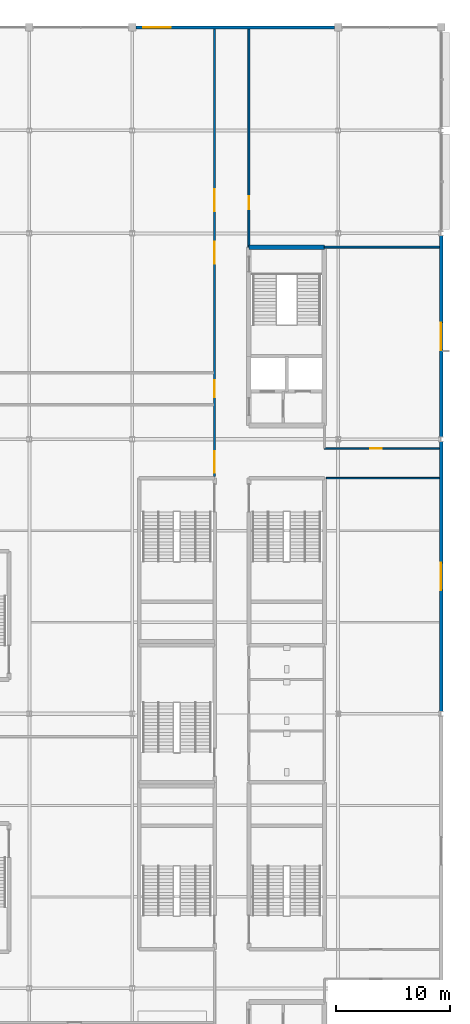
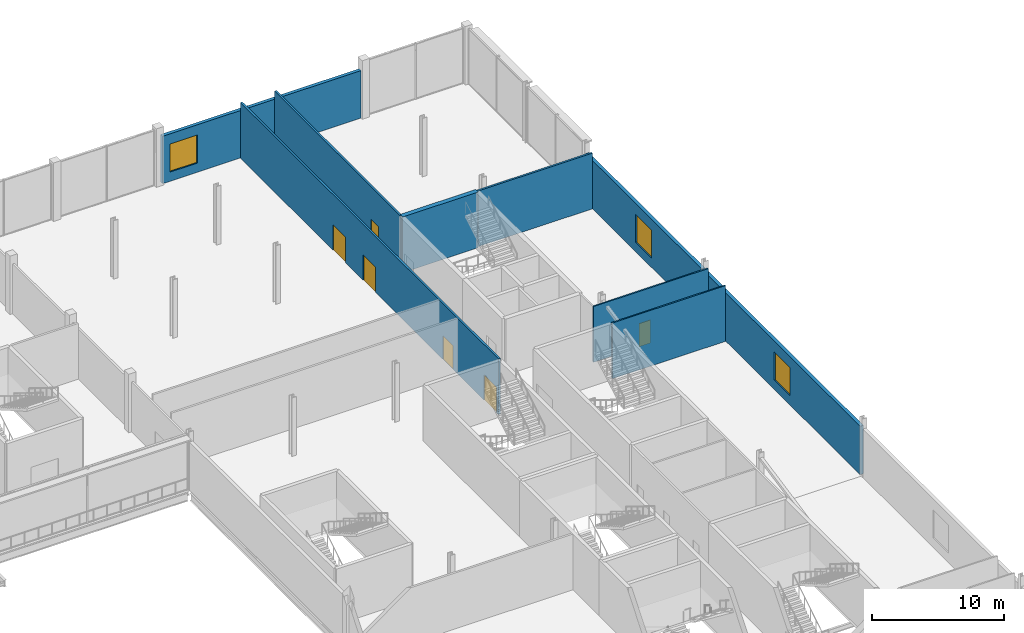
# One storey, part 72 of 113: 9 walls, 6 doors, 3 windows, 9 openings.
"""IFC4 building model written with IfcOpenShell, lengths in metres."""

from ifc_helpers import new_model, si_unit, direction, frame, frame_2d, origin, place, context, subcontext, project, spatial, rectangle, extrude, material, layer, layer_set, type_object, element, fill, save


model = new_model("IFC4")

# Units and contexts
model_context = context("Model", 3, precision=1e-05, world=origin(), true_north=direction((0.0, 1.0)))
body_context = subcontext(model_context, "Body", "Model", "MODEL_VIEW")
ifc_project = project(units=[si_unit("LENGTHUNIT", "METRE"), si_unit("AREAUNIT", "SQUARE_METRE"), si_unit("VOLUMEUNIT", "CUBIC_METRE"), si_unit("PLANEANGLEUNIT", "RADIAN"), si_unit("MASSUNIT", "GRAM", prefix="KILO")], contexts=[model_context])

# Site, building, storey
site_placement = place(None, origin())
site = spatial("IfcSite", under=ifc_project, at=site_placement, CompositionType="ELEMENT")
building_placement = place(site_placement, origin())
building = spatial("IfcBuilding", under=site, at=building_placement, Name="Kisiwana Market Hall", CompositionType="ELEMENT")
storey_placement = place(building_placement, frame((0.0, 0.0, 6.0)))
storey = spatial("IfcBuildingStorey", under=building, at=storey_placement, Name="L01", CompositionType="ELEMENT", Elevation=6.0)

# Walls
ifc_material_1 = material(Name="Concrete C40/50", Category="concrete")
ifc_layer_1 = layer(ifc_material_1, 0.39990234375, Name="Reinforced concrete core wall")
ifc_layer_set_1 = layer_set([ifc_layer_1], Name="WL-CORE-400")
wall_type_1 = type_object("IfcWallType", Name="WL-CORE-400", PredefinedType="SHEAR", material=ifc_layer_set_1)
wall_1_placement = place(storey_placement, frame((181.199951171875, 100.800048828125, 0.0), z_axis=(0.0, 0.0, 1.0), x_axis=(1.0, 0.0, 0.0)))
element("IfcWall", 1, at=wall_1_placement, inside=storey, type_object=wall_type_1, Name="Core E1 north shear wall W-0700", PredefinedType="SHEAR", context=body_context, shape_type="SweptSolid", body=[
    extrude(rectangle(XDim=6.60009765625, YDim=0.39990234375, at=frame_2d((3.300048828125, 0.0))), origin(), (0.0, 0.0, 1.0), 5.14990234375),
])
ifc_material_2 = material(Name="Masonry blockwork", Category="masonry")
ifc_layer_2 = layer(ifc_material_2, 0.169921875, Name="Protected corridor partition")
ifc_layer_set_2 = layer_set([ifc_layer_2], Name="WL-CORR-170")
wall_type_2 = type_object("IfcWallType", Name="WL-CORR-170", PredefinedType="PARTITIONING", material=ifc_layer_set_2)
wall_2_placement = place(storey_placement, frame((187.800048828125, 100.800048828125, 0.0), z_axis=(0.0, 0.0, 1.0), x_axis=(1.0, 0.0, 0.0)))
element("IfcWall", 2, at=wall_2_placement, inside=storey, type_object=wall_type_2, Name="Interior partition W-0880", PredefinedType="PARTITIONING", context=body_context, shape_type="SweptSolid", body=[
    extrude(rectangle(XDim=10.04248046875, YDim=0.169921875, at=frame_2d((5.021240234375, 0.0))), origin(), (0.0, 0.0, 1.0), 5.14990234375),
])

# Wall, opening, door
wall_3_placement = place(storey_placement, frame((181.199951171875, 100.800048828125, 0.0), z_axis=(0.0, 0.0, 1.0), x_axis=(0.0, 1.0, 0.0)))
wall_3 = element("IfcWall", 3, at=wall_3_placement, inside=storey, type_object=wall_type_2, Name="Interior partition W-0886", PredefinedType="PARTITIONING", context=body_context, shape_type="SweptSolid", body=[
    extrude(rectangle(XDim=19.04248046875, YDim=0.169921875, at=frame_2d((9.521240234375, 0.0))), origin(), (0.0, 0.0, 1.0), 5.14990234375),
])
opening_1_placement = place(wall_3_placement, frame((3.300048828125, 0.0, 0.0)))
opening_1 = element("IfcOpeningElement", 4, at=opening_1_placement, cuts=wall_3, Name="Opening DR-L01-066", PredefinedType="OPENING", context=body_context, shape_type="SweptSolid", body=[
    extrude(rectangle(XDim=1.14990234375, YDim=2.14990234375, at=frame_2d((0.574951171875, 1.074951171875))), frame((0.0, 0.096923828125, 0.0), z_axis=(0.0, -1.0, 0.0), x_axis=(1.0, 0.0, 0.0)), (0.0, 0.0, 1.0), 0.19384765625),
])
ifc_material_3 = material(Name="Aluminium alloy 6063-T6", Category="aluminium")
door_type_1 = type_object("IfcDoorType", Name="DR-MEET-1150", OperationType="NOTDEFINED", PredefinedType="DOOR", material=ifc_material_3)
door_1_placement = place(opening_1_placement, frame((1.14990234375, 0.0, 0.0), z_axis=(0.0, 0.0, 1.0), x_axis=(-1.0, 0.0, 0.0)))
door_1 = element("IfcDoor", 5, at=door_1_placement, inside=storey, type_object=door_type_1, Name="L01 E Corner Office Suite North Door", OperationType="SINGLE_SWING_RIGHT", OverallHeight=2.14990234375, OverallWidth=1.14990234375, PredefinedType="DOOR", context=body_context, shape_type="SweptSolid", body=[
    extrude(rectangle(XDim=1.14990234375, YDim=2.14990234375, at=frame_2d((0.574951171875, 1.074951171875))), frame((0.0, 0.02490234375, 0.0), z_axis=(0.0, -1.0, 0.0), x_axis=(1.0, 0.0, 0.0)), (0.0, 0.0, 1.0), 0.050048828125),
])
fill(opening_1, door_1)

# Wall, openings, doors
wall_4_placement = place(storey_placement, frame((178.199951171875, 80.760009765625, 0.0), z_axis=(0.0, 0.0, 1.0), x_axis=(0.0, 1.0, 0.0)))
wall_4 = element("IfcWall", 6, at=wall_4_placement, inside=storey, type_object=wall_type_2, Name="Interior partition W-0893", PredefinedType="PARTITIONING", context=body_context, shape_type="SweptSolid", body=[
    extrude(rectangle(XDim=39.08251953125, YDim=0.169921875, at=frame_2d((19.541259765625, 0.0))), origin(), (0.0, 0.0, 1.0), 5.14990234375),
])
opening_2_placement = place(wall_4_placement, frame((6.89111328125, 0.0, 0.0)))
opening_2 = element("IfcOpeningElement", 7, at=opening_2_placement, cuts=wall_4, Name="Opening DR-L01-071", PredefinedType="OPENING", context=body_context, shape_type="SweptSolid", body=[
    extrude(rectangle(XDim=1.5, YDim=2.199951171875, at=frame_2d((0.75, 1.10009765625))), frame((0.0, 0.096923828125, 0.0), z_axis=(0.0, -1.0, 0.0), x_axis=(1.0, 0.0, 0.0)), (0.0, 0.0, 1.0), 0.19384765625),
])
opening_3_placement = place(wall_4_placement, frame((23.19091796875, 0.0, 0.0)))
opening_3 = element("IfcOpeningElement", 8, at=opening_3_placement, cuts=wall_4, Name="Opening DR-L01-072", PredefinedType="OPENING", context=body_context, shape_type="SweptSolid", body=[
    extrude(rectangle(XDim=1.89990234375, YDim=2.35009765625, at=frame_2d((0.949951171875, 1.175048828125))), frame((0.0, 0.096923828125, 0.0), z_axis=(0.0, -1.0, 0.0), x_axis=(1.0, 0.0, 0.0)), (0.0, 0.0, 1.0), 0.19384765625),
])
opening_4_placement = place(wall_4_placement, frame((18.591064453125, 0.0, 0.0)))
opening_4 = element("IfcOpeningElement", 9, at=opening_4_placement, cuts=wall_4, Name="Opening DR-L01-073", PredefinedType="OPENING", context=body_context, shape_type="SweptSolid", body=[
    extrude(rectangle(XDim=1.89990234375, YDim=2.35009765625, at=frame_2d((0.949951171875, 1.175048828125))), frame((0.0, 0.096923828125, 0.0), z_axis=(0.0, -1.0, 0.0), x_axis=(1.0, 0.0, 0.0)), (0.0, 0.0, 1.0), 0.19384765625),
])
opening_5_placement = place(wall_4_placement, frame((0.300048828125, 0.0, 0.0)))
opening_5 = element("IfcOpeningElement", 10, at=opening_5_placement, cuts=wall_4, Name="Opening DR-L01-074", PredefinedType="OPENING", context=body_context, shape_type="SweptSolid", body=[
    extrude(rectangle(XDim=1.89990234375, YDim=2.35009765625, at=frame_2d((0.949951171875, 1.175048828125))), frame((0.0, 0.096923828125, 0.0), z_axis=(0.0, -1.0, 0.0), x_axis=(1.0, 0.0, 0.0)), (0.0, 0.0, 1.0), 0.19384765625),
])
ifc_material_4 = material(Name="Steel S275", Category="steel")
door_type_2 = type_object("IfcDoorType", Name="DR-CORR-FD60-1500", OperationType="DOUBLE_DOOR_SINGLE_SWING", PredefinedType="DOOR", material=ifc_material_4)
door_2_placement = place(opening_2_placement, origin())
door_2 = element("IfcDoor", 11, at=door_2_placement, inside=storey, type_object=door_type_2, Name="L01 E North Mezzanine Link Corridor Door", OperationType="DOUBLE_DOOR_SINGLE_SWING", OverallHeight=2.199951171875, OverallWidth=1.5, PredefinedType="DOOR", context=body_context, shape_type="SweptSolid", body=[
    extrude(rectangle(XDim=1.5, YDim=2.199951171875, at=frame_2d((0.75, 1.10009765625))), frame((0.0, 0.02490234375, 0.0), z_axis=(0.0, -1.0, 0.0), x_axis=(1.0, 0.0, 0.0)), (0.0, 0.0, 1.0), 0.050048828125),
])
fill(opening_2, door_2)
ifc_material_5 = material(Name="Steel S275", Category="steel")
door_type_3 = type_object("IfcDoorType", Name="DR-HALL-1900", OperationType="DOUBLE_DOOR_SINGLE_SWING", PredefinedType="DOOR", material=ifc_material_5)
door_3_placement = place(opening_3_placement, origin())
door_3 = element("IfcDoor", 12, at=door_3_placement, inside=storey, type_object=door_type_3, Name="L01 E Food Court North Dining Hall Door", OperationType="DOUBLE_DOOR_SINGLE_SWING", OverallHeight=2.35009765625, OverallWidth=1.89990234375, PredefinedType="DOOR", context=body_context, shape_type="SweptSolid", body=[
    extrude(rectangle(XDim=1.89990234375, YDim=2.35009765625, at=frame_2d((0.949951171875, 1.175048828125))), frame((0.0, 0.02490234375, 0.0), z_axis=(0.0, -1.0, 0.0), x_axis=(1.0, 0.0, 0.0)), (0.0, 0.0, 1.0), 0.050048828125),
])
fill(opening_3, door_3)
door_4_placement = place(opening_4_placement, origin())
door_4 = element("IfcDoor", 13, at=door_4_placement, inside=storey, type_object=door_type_3, Name="L01 E Hawker Culinary Gallery Door", OperationType="DOUBLE_DOOR_SINGLE_SWING", OverallHeight=2.35009765625, OverallWidth=1.89990234375, PredefinedType="DOOR", context=body_context, shape_type="SweptSolid", body=[
    extrude(rectangle(XDim=1.89990234375, YDim=2.35009765625, at=frame_2d((0.949951171875, 1.175048828125))), frame((0.0, 0.02490234375, 0.0), z_axis=(0.0, -1.0, 0.0), x_axis=(1.0, 0.0, 0.0)), (0.0, 0.0, 1.0), 0.050048828125),
])
fill(opening_4, door_4)
door_5_placement = place(opening_5_placement, origin())
door_5 = element("IfcDoor", 14, at=door_5_placement, inside=storey, type_object=door_type_3, Name="L01 E Central Dishwashing and Servery Door", OperationType="DOUBLE_DOOR_SINGLE_SWING", OverallHeight=2.35009765625, OverallWidth=1.89990234375, PredefinedType="DOOR", context=body_context, shape_type="SweptSolid", body=[
    extrude(rectangle(XDim=1.89990234375, YDim=2.35009765625, at=frame_2d((0.949951171875, 1.175048828125))), frame((0.0, 0.02490234375, 0.0), z_axis=(0.0, -1.0, 0.0), x_axis=(1.0, 0.0, 0.0)), (0.0, 0.0, 1.0), 0.050048828125),
])
fill(opening_5, door_5)

# Wall, opening, window
ifc_material_6 = material(Name="Masonry blockwork", Category="masonry")
ifc_layer_3 = layer(ifc_material_6, 0.139892578125, Name="Rendered masonry outer leaf")
ifc_material_7 = material(Name="Mineral wool insulation")
ifc_layer_4 = layer(ifc_material_7, 0.074951171875, Name="Mineral wool cavity insulation")
ifc_material_8 = material(Name="Gypsum plasterboard")
ifc_layer_5 = layer(ifc_material_8, 0.074951171875, Name="Calcium silicate inner lining")
ifc_layer_set_3 = layer_set([ifc_layer_3, ifc_layer_4, ifc_layer_5], Name="WL-EXT-MAS-290")
wall_type_3 = type_object("IfcWallType", Name="WL-EXT-MAS-290", PredefinedType="STANDARD", material=ifc_layer_set_3)
wall_5_placement = place(storey_placement, frame((171.31689453125, 120.0, 0.0), z_axis=(0.0, 0.0, 1.0), x_axis=(1.0, 0.0, 0.0)))
wall_5 = element("IfcWall", 15, at=wall_5_placement, inside=storey, type_object=wall_type_3, Name="Exterior wall W-0829", PredefinedType="STANDARD", context=body_context, shape_type="SweptSolid", body=[
    extrude(rectangle(XDim=17.3662109375, YDim=0.2900390625, at=frame_2d((8.68310546875, 0.0))), origin(), (0.0, 0.0, 1.0), 4.3876953125),
])
opening_6_placement = place(wall_5_placement, frame((0.64990234375, 0.0, 0.85009765625)))
opening_6 = element("IfcOpeningElement", 16, at=opening_6_placement, cuts=wall_5, Name="Opening WN-11", PredefinedType="OPENING", context=body_context, shape_type="SweptSolid", body=[
    extrude(rectangle(XDim=2.39990234375, YDim=2.60009765625, at=frame_2d((1.199951171875, 1.300048828125))), frame((0.0, 0.156982421875, 0.0), z_axis=(0.0, -1.0, 0.0), x_axis=(1.0, 0.0, 0.0)), (0.0, 0.0, 1.0), 0.31396484375),
])
ifc_material_9 = material(Name="Double-glazed solar-control low-E IGU", Category="glass")
window_type = type_object("IfcWindowType", Name="WN-POD-2400x2600", PartitioningType="SINGLE_PANEL", PredefinedType="WINDOW", material=ifc_material_9)
window_1_placement = place(opening_6_placement, origin())
window_1 = element("IfcWindow", 17, at=window_1_placement, inside=storey, type_object=window_type, Name="Exterior window WN-016", OverallHeight=2.60009765625, OverallWidth=2.39990234375, PartitioningType="SINGLE_PANEL", PredefinedType="WINDOW", context=body_context, shape_type="SweptSolid", body=[
    extrude(rectangle(XDim=2.39990234375, YDim=2.60009765625, at=frame_2d((1.199951171875, 1.300048828125))), frame((0.0, 0.030029296875, 0.0), z_axis=(0.0, -1.0, 0.0), x_axis=(1.0, 0.0, 0.0)), (0.0, 0.0, 1.0), 0.06005859375),
])
fill(opening_6, window_1)

wall_6_placement = place(storey_placement, frame((198.0, 60.198486328125, 0.0), z_axis=(0.0, 0.0, 1.0), x_axis=(0.0, 1.0, 0.0)))
wall_6 = element("IfcWall", 18, at=wall_6_placement, inside=storey, type_object=wall_type_3, Name="Exterior wall W-0840", PredefinedType="STANDARD", context=body_context, shape_type="SweptSolid", body=[
    extrude(rectangle(XDim=23.60302734375, YDim=0.2900390625, at=frame_2d((11.801513671875, 0.0))), origin(), (0.0, 0.0, 1.0), 4.466552734375),
])
opening_7_placement = place(wall_6_placement, frame((10.6015625, 0.0, 0.85009765625)))
opening_7 = element("IfcOpeningElement", 19, at=opening_7_placement, cuts=wall_6, Name="Opening WN-11", PredefinedType="OPENING", context=body_context, shape_type="SweptSolid", body=[
    extrude(rectangle(XDim=2.39990234375, YDim=2.60009765625, at=frame_2d((1.199951171875, 1.300048828125))), frame((0.0, 0.156982421875, 0.0), z_axis=(0.0, -1.0, 0.0), x_axis=(1.0, 0.0, 0.0)), (0.0, 0.0, 1.0), 0.31396484375),
])
window_2_placement = place(opening_7_placement, origin())
window_2 = element("IfcWindow", 20, at=window_2_placement, inside=storey, type_object=window_type, Name="Exterior window WN-023", OverallHeight=2.60009765625, OverallWidth=2.39990234375, PartitioningType="SINGLE_PANEL", PredefinedType="WINDOW", context=body_context, shape_type="SweptSolid", body=[
    extrude(rectangle(XDim=2.39990234375, YDim=2.60009765625, at=frame_2d((1.199951171875, 1.300048828125))), frame((0.0, 0.030029296875, 0.0), z_axis=(0.0, -1.0, 0.0), x_axis=(1.0, 0.0, 0.0)), (0.0, 0.0, 1.0), 0.06005859375),
])
fill(opening_7, window_2)

wall_7_placement = place(storey_placement, frame((198.0, 84.198486328125, 0.0), z_axis=(0.0, 0.0, 1.0), x_axis=(0.0, 1.0, 0.0)))
wall_7 = element("IfcWall", 21, at=wall_7_placement, inside=storey, type_object=wall_type_3, Name="Exterior wall W-0841", PredefinedType="STANDARD", context=body_context, shape_type="SweptSolid", body=[
    extrude(rectangle(XDim=17.60302734375, YDim=0.2900390625, at=frame_2d((8.801513671875, 0.0))), origin(), (0.0, 0.0, 1.0), 4.466552734375),
])
opening_8_placement = place(wall_7_placement, frame((7.6015625, 0.0, 0.85009765625)))
opening_8 = element("IfcOpeningElement", 22, at=opening_8_placement, cuts=wall_7, Name="Opening WN-11", PredefinedType="OPENING", context=body_context, shape_type="SweptSolid", body=[
    extrude(rectangle(XDim=2.39990234375, YDim=2.60009765625, at=frame_2d((1.199951171875, 1.300048828125))), frame((0.0, 0.156982421875, 0.0), z_axis=(0.0, -1.0, 0.0), x_axis=(1.0, 0.0, 0.0)), (0.0, 0.0, 1.0), 0.31396484375),
])
window_3_placement = place(opening_8_placement, origin())
window_3 = element("IfcWindow", 23, at=window_3_placement, inside=storey, type_object=window_type, Name="Exterior window WN-024", OverallHeight=2.60009765625, OverallWidth=2.39990234375, PartitioningType="SINGLE_PANEL", PredefinedType="WINDOW", context=body_context, shape_type="SweptSolid", body=[
    extrude(rectangle(XDim=2.39990234375, YDim=2.60009765625, at=frame_2d((1.199951171875, 1.300048828125))), frame((0.0, 0.030029296875, 0.0), z_axis=(0.0, -1.0, 0.0), x_axis=(1.0, 0.0, 0.0)), (0.0, 0.0, 1.0), 0.06005859375),
])
fill(opening_8, window_3)

# Wall
ifc_material_10 = material(Name="Gypsum plasterboard")
ifc_layer_6 = layer(ifc_material_10, 0.125, Name="Double gypsum board + acoustic stud")
ifc_layer_set_4 = layer_set([ifc_layer_6], Name="WL-OFF-125")
wall_type_4 = type_object("IfcWallType", Name="WL-OFF-125", PredefinedType="PARTITIONING", material=ifc_layer_set_4)
wall_8_placement = place(storey_placement, frame((187.9599609375, 80.60009765625, 0.0), z_axis=(0.0, 0.0, 1.0), x_axis=(1.0, 0.0, 0.0)))
element("IfcWall", 24, at=wall_8_placement, inside=storey, type_object=wall_type_4, Name="Interior partition W-0883", PredefinedType="PARTITIONING", context=body_context, shape_type="SweptSolid", body=[
    extrude(rectangle(XDim=9.882568359375, YDim=0.125, at=frame_2d((4.94140625, 0.0))), origin(), (0.0, 0.0, 1.0), 5.14990234375),
])

# Wall, opening, door
wall_9_placement = place(storey_placement, frame((187.800048828125, 83.199951171875, 0.0), z_axis=(0.0, 0.0, 1.0), x_axis=(1.0, 0.0, 0.0)))
wall_9 = element("IfcWall", 25, at=wall_9_placement, inside=storey, type_object=wall_type_4, Name="Interior partition W-0884", PredefinedType="PARTITIONING", context=body_context, shape_type="SweptSolid", body=[
    extrude(rectangle(XDim=10.04248046875, YDim=0.125, at=frame_2d((5.021240234375, 0.0))), origin(), (0.0, 0.0, 1.0), 5.14990234375),
])
opening_9_placement = place(wall_9_placement, frame((4.0, 0.0, 0.0)))
opening_9 = element("IfcOpeningElement", 26, at=opening_9_placement, cuts=wall_9, Name="Opening DR-L01-064", PredefinedType="OPENING", context=body_context, shape_type="SweptSolid", body=[
    extrude(rectangle(XDim=1.0, YDim=2.14990234375, at=frame_2d((0.5, 1.074951171875))), frame((0.0, 0.074462890625, 0.0), z_axis=(0.0, -1.0, 0.0), x_axis=(1.0, 0.0, 0.0)), (0.0, 0.0, 1.0), 0.14892578125),
])
ifc_material_11 = material(Name="Aluminium alloy 6063-T6", Category="aluminium")
door_type_4 = type_object("IfcDoorType", Name="DR-OFF-1000", OperationType="NOTDEFINED", PredefinedType="DOOR", material=ifc_material_11)
door_6_placement = place(opening_9_placement, origin())
door_6 = element("IfcDoor", 27, at=door_6_placement, inside=storey, type_object=door_type_4, Name="L01 E Food Court Kitchen North Door", OperationType="SINGLE_SWING_LEFT", OverallHeight=2.14990234375, OverallWidth=1.0, PredefinedType="DOOR", context=body_context, shape_type="SweptSolid", body=[
    extrude(rectangle(XDim=1.0, YDim=2.14990234375, at=frame_2d((0.5, 1.074951171875))), frame((0.0, 0.02490234375, 0.0), z_axis=(0.0, -1.0, 0.0), x_axis=(1.0, 0.0, 0.0)), (0.0, 0.0, 1.0), 0.050048828125),
])
fill(opening_9, door_6)

save(model, "model.ifc")
